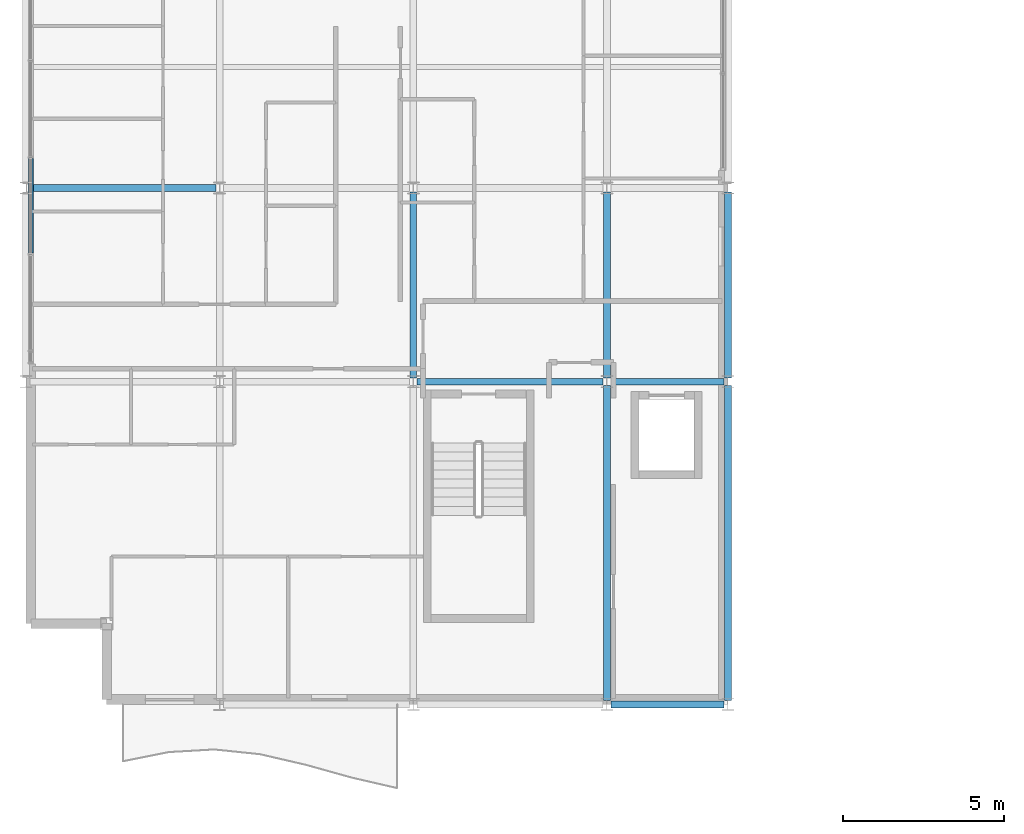
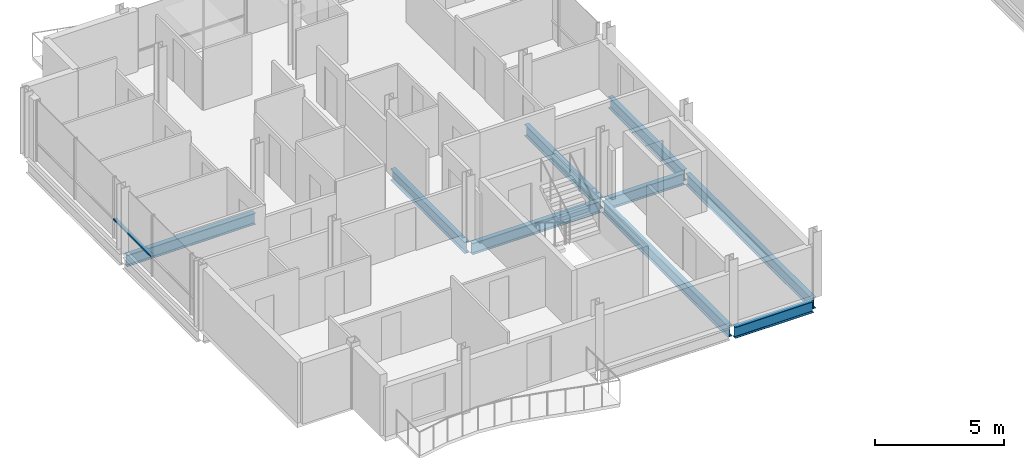
# One storey, part 5 of 29: 9 beams, 1 member, 1 element without a shape of its own.
"""IFC4 building model written with IfcOpenShell, lengths in metres."""

from ifc_helpers import new_model, si_unit, direction, frame, origin, origin_2d, place, context, subcontext, project, spatial, hollow_rectangle, i_section, extrude, material, layer, layer_set, material_profile, profile_set, type_object, element, aggregate, save


model = new_model("IFC4")

# Units and contexts
model_context = context("Model", 3, precision=1e-05, world=origin(), true_north=direction((0.0, 1.0)))
body_context = subcontext(model_context, "Body", "Model", "MODEL_VIEW")
ifc_project = project(units=[si_unit("LENGTHUNIT", "METRE"), si_unit("AREAUNIT", "SQUARE_METRE"), si_unit("VOLUMEUNIT", "CUBIC_METRE"), si_unit("PLANEANGLEUNIT", "RADIAN"), si_unit("MASSUNIT", "GRAM", prefix="KILO")], contexts=[model_context])

# Site, building, storey
site_placement = place(None, origin())
site = spatial("IfcSite", under=ifc_project, at=site_placement, CompositionType="ELEMENT")
building_placement = place(site_placement, origin())
building = spatial("IfcBuilding", under=site, at=building_placement, Name="Brevholm Reach", CompositionType="ELEMENT")
storey_placement = place(building_placement, frame((0.0, 0.0, 208.0)))
storey = spatial("IfcBuildingStorey", under=building, at=storey_placement, Name="L63", CompositionType="ELEMENT", Elevation=208.0)

# Beams
ifc_material_1 = material(Name="Structural Steel S355J2", Category="steel")
ifc_material_profile_1 = material_profile(ifc_material_1, i_section(OverallWidth=0.209228515625, OverallDepth=0.533203125, WebThickness=0.010009765625, FlangeThickness=0.015625, FilletRadius=0.0126953125, at=origin_2d()), Name="UKB 533x210x92")
ifc_profile_set_1 = profile_set([ifc_material_profile_1], Name="Structural Steel S355J2")
beam_type_1 = type_object("IfcBeamType", Name="BM-SP533", PredefinedType="SPANDREL", material=ifc_profile_set_1)
beam_1_placement = place(storey_placement, frame((18.1201171875, 0.0, -0.4765625), z_axis=(1.0, 0.0, 0.0), x_axis=(0.0, 1.0, 0.0)))
element("IfcBeam", 1, at=beam_1_placement, inside=storey, type_object=beam_type_1, Name="L63 SP-02 Framing Beam", PredefinedType="SPANDREL", context=body_context, shape_type="SweptSolid", body=[
    extrude(i_section(OverallWidth=0.209228515625, OverallDepth=0.533203125, WebThickness=0.010009765625, FlangeThickness=0.015625, FilletRadius=0.0126953125, at=origin_2d()), origin(), (0.0, 0.0, 1.0), 3.509765625),
])
beam_2_placement = place(storey_placement, frame((21.75, 0.1201171875, -0.4765625), z_axis=(0.0, 1.0, 0.0), x_axis=(-1.0, 0.0, 0.0)))
element("IfcBeam", 2, at=beam_2_placement, inside=storey, type_object=beam_type_1, Name="L63 SP-02 Framing Beam", PredefinedType="SPANDREL", context=body_context, shape_type="SweptSolid", body=[
    extrude(i_section(OverallWidth=0.209228515625, OverallDepth=0.533203125, WebThickness=0.010009765625, FlangeThickness=0.015625, FilletRadius=0.0126953125, at=origin_2d()), origin(), (0.0, 0.0, 1.0), 9.759765625),
])
beam_3_placement = place(storey_placement, frame((21.75, 10.1201171875, -0.4765625), z_axis=(0.0, 1.0, 0.0), x_axis=(-1.0, 0.0, 0.0)))
element("IfcBeam", 3, at=beam_3_placement, inside=storey, type_object=beam_type_1, Name="L63 SP-02 Framing Beam", PredefinedType="SPANDREL", context=body_context, shape_type="SweptSolid", body=[
    extrude(i_section(OverallWidth=0.209228515625, OverallDepth=0.533203125, WebThickness=0.010009765625, FlangeThickness=0.015625, FilletRadius=0.0126953125, at=origin_2d()), origin(), (0.0, 0.0, 1.0), 5.759765625),
])
ifc_material_2 = material(Name="Structural Steel S355J2", Category="steel")
ifc_material_profile_2 = material_profile(ifc_material_2, i_section(OverallWidth=0.210693359375, OverallDepth=0.53955078125, WebThickness=0.01171875, FlangeThickness=0.018798828125, FilletRadius=0.0126953125, at=origin_2d()), Name="UKB 533x210x109")
ifc_profile_set_2 = profile_set([ifc_material_profile_2], Name="Structural Steel S355J2")
beam_type_2 = type_object("IfcBeamType", Name="BM-SP539", PredefinedType="SPANDREL", material=ifc_profile_set_2)
beam_4_placement = place(storey_placement, frame((12.1201171875, 10.0, -0.479736328125), z_axis=(1.0, 0.0, 0.0), x_axis=(0.0, 1.0, 0.0)))
element("IfcBeam", 4, at=beam_4_placement, inside=storey, type_object=beam_type_2, Name="L63 SP-01B Framing Beam", PredefinedType="SPANDREL", context=body_context, shape_type="SweptSolid", body=[
    extrude(i_section(OverallWidth=0.210693359375, OverallDepth=0.53955078125, WebThickness=0.01171875, FlangeThickness=0.018798828125, FilletRadius=0.0126953125, at=origin_2d()), origin(), (0.0, 0.0, 1.0), 5.759765625),
])
beam_5_placement = place(storey_placement, frame((18.1201171875, 10.0, -0.479736328125), z_axis=(1.0, 0.0, 0.0), x_axis=(0.0, 1.0, 0.0)))
element("IfcBeam", 5, at=beam_5_placement, inside=storey, type_object=beam_type_2, Name="L63 SP-01B Framing Beam", PredefinedType="SPANDREL", context=body_context, shape_type="SweptSolid", body=[
    extrude(i_section(OverallWidth=0.210693359375, OverallDepth=0.53955078125, WebThickness=0.01171875, FlangeThickness=0.018798828125, FilletRadius=0.0126953125, at=origin_2d()), origin(), (0.0, 0.0, 1.0), 3.509765625),
])
for number, where, z_axis, x_axis, name in (
    (6, (0.1201171875, 16.0, -0.479736328125), (1.0, 0.0, 0.0), (0.0, 1.0, 0.0), "L63 SP-01B Framing Beam"),
    (7, (12.0, 10.1201171875, -0.479736328125), (0.0, 1.0, 0.0), (-1.0, 0.0, 0.0), "L63 SP-01B Framing Beam"),
):
    element("IfcBeam", number, at=place(storey_placement, frame(where, z_axis=z_axis, x_axis=x_axis)), inside=storey, type_object=beam_type_2, Name=name, PredefinedType="SPANDREL", context=body_context, shape_type="SweptSolid", body=[
        extrude(i_section(OverallWidth=0.210693359375, OverallDepth=0.53955078125, WebThickness=0.01171875, FlangeThickness=0.018798828125, FilletRadius=0.0126953125, at=origin_2d()), origin(), (0.0, 0.0, 1.0), 5.759765625),
    ])
beam_6_placement = place(storey_placement, frame((18.0, 0.1201171875, -0.479736328125), z_axis=(0.0, 1.0, 0.0), x_axis=(-1.0, 0.0, 0.0)))
element("IfcBeam", 8, at=beam_6_placement, inside=storey, type_object=beam_type_2, Name="L63 SP-01B Framing Beam", PredefinedType="SPANDREL", context=body_context, shape_type="SweptSolid", body=[
    extrude(i_section(OverallWidth=0.210693359375, OverallDepth=0.53955078125, WebThickness=0.01171875, FlangeThickness=0.018798828125, FilletRadius=0.0126953125, at=origin_2d()), origin(), (0.0, 0.0, 1.0), 9.759765625),
])
beam_7_placement = place(storey_placement, frame((18.0, 10.1201171875, -0.479736328125), z_axis=(0.0, 1.0, 0.0), x_axis=(-1.0, 0.0, 0.0)))
element("IfcBeam", 9, at=beam_7_placement, inside=storey, type_object=beam_type_2, Name="L63 SP-01B Framing Beam", PredefinedType="SPANDREL", context=body_context, shape_type="SweptSolid", body=[
    extrude(i_section(OverallWidth=0.210693359375, OverallDepth=0.53955078125, WebThickness=0.01171875, FlangeThickness=0.018798828125, FilletRadius=0.0126953125, at=origin_2d()), origin(), (0.0, 0.0, 1.0), 5.759765625),
])

# Curtain wall, member
ifc_material_3 = material(Name="Dark Anodised Aluminium 6063-T6 and Solar-Control Glass", Category="aluminium")
ifc_layer = layer(ifc_material_3, 0.14990234375)
ifc_layer_set = layer_set([ifc_layer], Name="Dark Anodised Aluminium 6063-T6 and Solar-Control Glass")
curtain_wall_type = type_object("IfcCurtainWallType", Name="CW-01", PredefinedType="NOTDEFINED", material=ifc_layer_set)
curtain_wall_placement = place(storey_placement, origin())
curtain_wall = element("IfcCurtainWall", 10, at=curtain_wall_placement, inside=storey, type_object=curtain_wall_type, Name="L63 Curtain Wall CW-01", PredefinedType="NOTDEFINED")
ifc_material_4 = material(Name="Dark Anodised Aluminium 6063-T6", Category="aluminium")
ifc_material_profile_3 = material_profile(ifc_material_4, hollow_rectangle(XDim=0.06494140625, YDim=0.14990234375, WallThickness=0.0048828125, InnerFilletRadius=0.0048828125, OuterFilletRadius=0.010009765625, at=origin_2d()), Name="RHS 150x65x5")
ifc_profile_set_3 = profile_set([ifc_material_profile_3], Name="Dark Anodised Aluminium 6063-T6")
member_type = type_object("IfcMemberType", Name="CWT-150", PredefinedType="NOTDEFINED", material=ifc_profile_set_3)
member_placement = place(storey_placement, frame((0.14990234375, 16.91748046875, 0.89990234375), z_axis=(0.0, -1.0, 0.0), x_axis=(0.0, 0.0, 1.0)))
member = element("IfcMember", 11, at=member_placement, type_object=member_type, Name="CT-150 Transom 3.1", ObjectType="TRANSOM", PredefinedType="USERDEFINED", context=body_context, shape_type="SweptSolid", body=[
    extrude(hollow_rectangle(XDim=0.06494140625, YDim=0.14990234375, WallThickness=0.0048828125, InnerFilletRadius=0.0048828125, OuterFilletRadius=0.010009765625, at=origin_2d()), origin(), (0.0, 0.0, 1.0), 2.93505859375),
])
aggregate(curtain_wall, [member])

save(model, "model.ifc")
